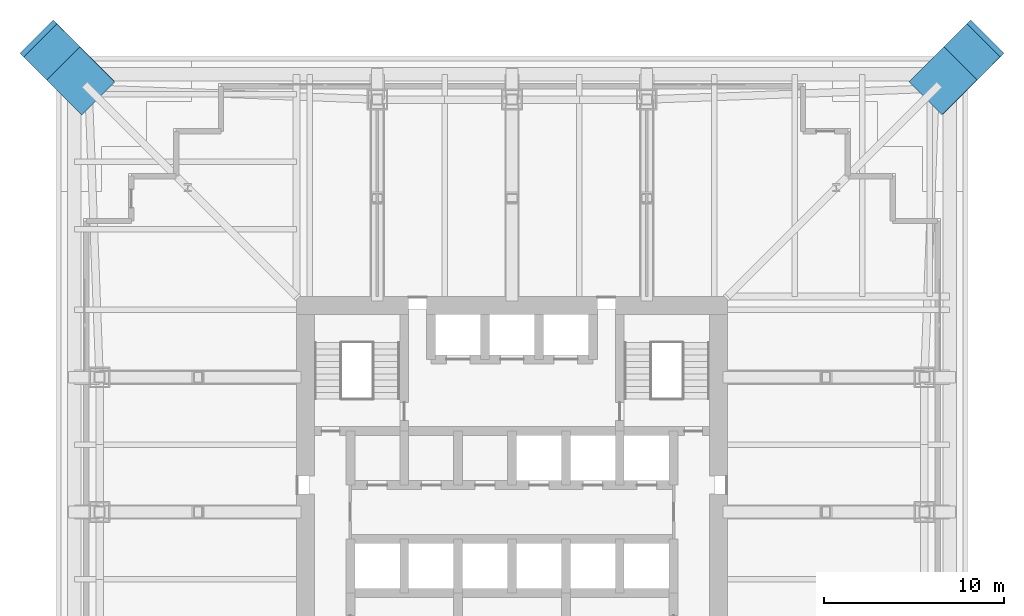
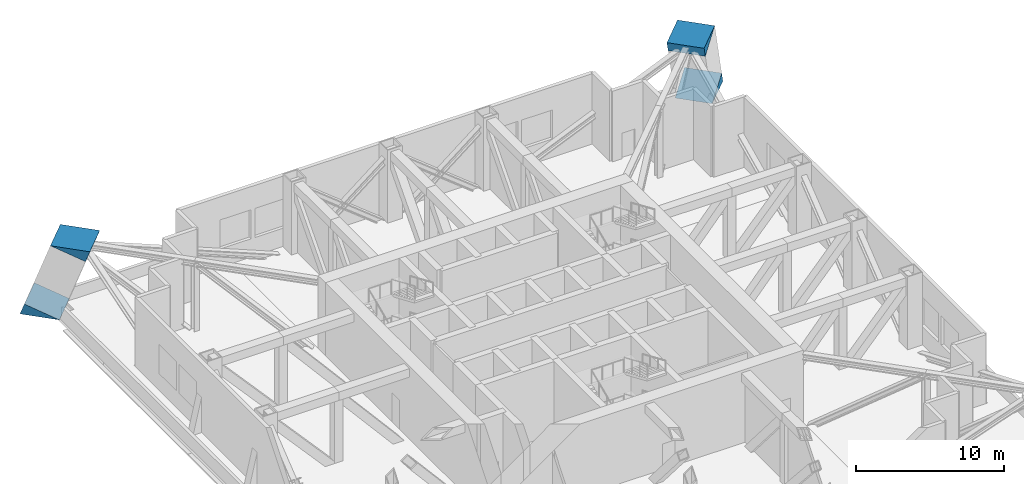
# One storey, part 8 of 10: 4 discrete accessories.
"""IFC4 building model written with IfcOpenShell, lengths in metres."""

from ifc_helpers import new_model, si_unit, direction, frame, origin, place, context, subcontext, project, spatial, polyline, outline, extrude, material, layer, layer_set, type_object, element, save


model = new_model("IFC4")

# Units and contexts
model_context = context("Model", 3, precision=1e-05, world=origin(), true_north=direction((0.0, 1.0)))
body_context = subcontext(model_context, "Body", "Model", "MODEL_VIEW")
ifc_project = project(units=[si_unit("LENGTHUNIT", "METRE"), si_unit("AREAUNIT", "SQUARE_METRE"), si_unit("VOLUMEUNIT", "CUBIC_METRE"), si_unit("PLANEANGLEUNIT", "RADIAN"), si_unit("MASSUNIT", "GRAM", prefix="KILO")], contexts=[model_context])

# Site, building, storey
site_placement = place(None, origin())
site = spatial("IfcSite", under=ifc_project, at=site_placement, CompositionType="ELEMENT")
building_placement = place(site_placement, origin())
building = spatial("IfcBuilding", under=site, at=building_placement, Name="Tarangal Relay Tower", CompositionType="ELEMENT")
storey_placement = place(building_placement, frame((0.0, 0.0, 98.39990234375)))
storey = spatial("IfcBuildingStorey", under=building, at=storey_placement, Name="L19", CompositionType="ELEMENT", Elevation=98.39990234375)

# Discrete accessories
ifc_material = material(Name="Steel ASTM A572 Grade 50", Category="steel")
ifc_layer = layer(ifc_material, 2.60009765625)
ifc_layer_set = layer_set([ifc_layer], Name="Mega column node 2600")
discrete_accessory_type = type_object("IfcDiscreteAccessoryType", Name="Mega column node 2600", PredefinedType="USERDEFINED", material=ifc_layer_set)
discrete_accessory_1_placement = place(storey_placement, frame((25.444091796875, 23.605712890625, 0.00048828125), z_axis=(0.707106555475, -0.707106306245, 0.000995426125), x_axis=(0.666426656486, 0.666896169419, 0.333354182123)))
element("IfcDiscreteAccessory", 1, at=discrete_accessory_1_placement, inside=storey, type_object=discrete_accessory_type, Name="Mega column node MN1 NE L19 foot", ObjectType="Mega column node", PredefinedType="USERDEFINED", context=body_context, shape_type="SweptSolid", body=[
    extrude(outline(polyline([(0.0, 0.0), (2.599935039754131, 1.1102230246251565e-16), (2.6000771545328902, -0.9198491956232142), (0.0, 0.0)])), origin(), (0.0, 0.0, -1.0), 2.60009765625),
])
discrete_accessory_2_placement = place(storey_placement, frame((25.893798828125, 24.056396484375, 5.99951171875), z_axis=(0.707062303419, -0.70715058634, 0.000973305499), x_axis=(-0.666478849735, -0.666854436576, -0.333333321578)))
element("IfcDiscreteAccessory", 2, at=discrete_accessory_2_placement, inside=storey, type_object=discrete_accessory_type, Name="Mega column node MN1 NE L19 head", ObjectType="Mega column node", PredefinedType="USERDEFINED", context=body_context, shape_type="SweptSolid", body=[
    extrude(outline(polyline([(0.0, 0.0), (2.600097747946008, 0.0), (2.599934758295066, -0.9197341032175638), (0.0, 0.0)])), origin(), (0.0, 0.0, -1.0), 2.60009765625),
])
discrete_accessory_3_placement = place(storey_placement, frame((-23.605712890625, 25.444091796875, 0.00048828125), z_axis=(0.707106306245, 0.707106555475, 0.000995426125), x_axis=(-0.666896169419, 0.666426656486, 0.333354182123)))
element("IfcDiscreteAccessory", 3, at=discrete_accessory_3_placement, inside=storey, type_object=discrete_accessory_type, Name="Mega column node MN1 NW L19 foot", ObjectType="Mega column node", PredefinedType="USERDEFINED", context=body_context, shape_type="SweptSolid", body=[
    extrude(outline(polyline([(0.0, 0.0), (2.599935039754131, 1.1102230246251565e-16), (2.6000771545328902, -0.9198491956232142), (0.0, 0.0)])), origin(), (0.0, 0.0, -1.0), 2.60009765625),
])
discrete_accessory_4_placement = place(storey_placement, frame((-24.056396484375, 25.893798828125, 5.99951171875), z_axis=(0.70715058634, 0.707062303419, 0.000973305499), x_axis=(0.666854436576, -0.666478849735, -0.333333321578)))
element("IfcDiscreteAccessory", 4, at=discrete_accessory_4_placement, inside=storey, type_object=discrete_accessory_type, Name="Mega column node MN1 NW L19 head", ObjectType="Mega column node", PredefinedType="USERDEFINED", context=body_context, shape_type="SweptSolid", body=[
    extrude(outline(polyline([(0.0, 0.0), (2.600097747946008, 0.0), (2.599934758295066, -0.9197341032175638), (0.0, 0.0)])), origin(), (0.0, 0.0, -1.0), 2.60009765625),
])

save(model, "model.ifc")
